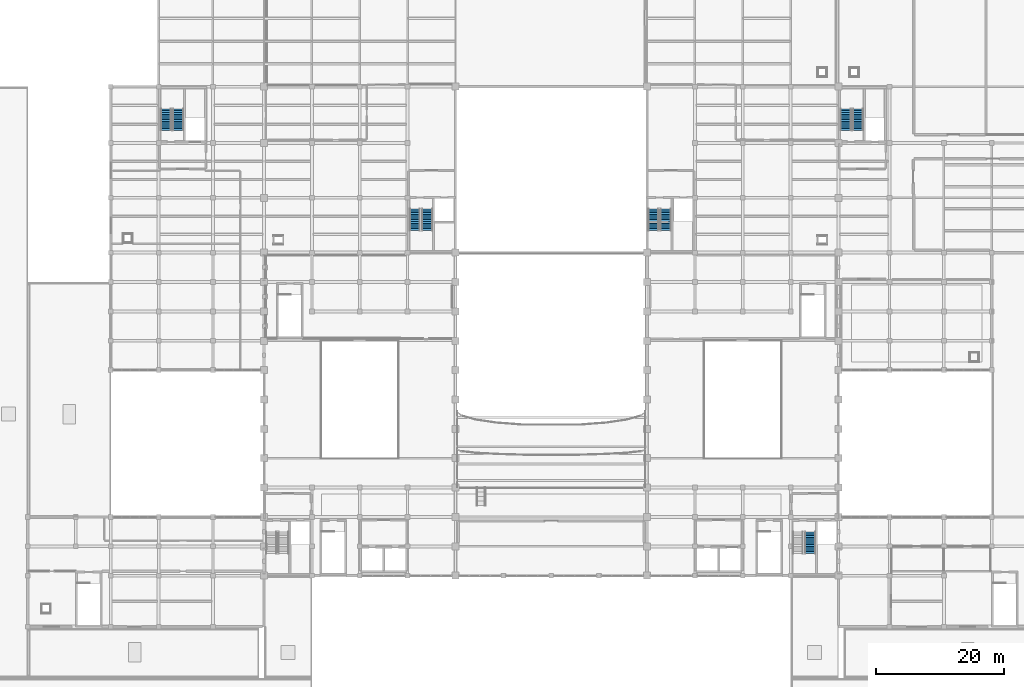
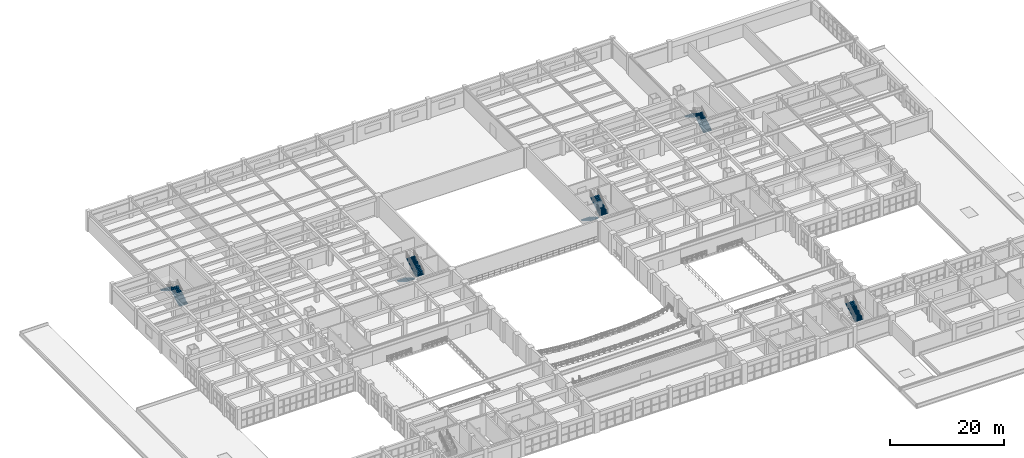
# One storey, part 81 of 90: 9 stair flights, 5 elements without a shape of their own.
"""IFC4 building model written with IfcOpenShell, lengths in metres."""

import ifcopenshell
import ifcopenshell.guid

model = None  # the IFC model being written
_history = None  # IfcOwnerHistory: only IFC2X3 demands one
_inside = {}  # id of a spatial element -> (the spatial element, [elements in it])
_under = {}  # id of a project, library or spatial element -> (it, [spatial elements below it])
_declared = {}  # id of a project -> (the project, [libraries it declares])
_typed = {}  # id of a type object -> (the type object, [elements of that type])
_made_of = {}  # id of a material, layer set ... -> (it, [elements and type objects made of it])


def new_model(schema):
    """Start an empty IFC model of exactly this schema.

    Asked for "IFC4X3", IfcOpenShell would pick the latest addendum, in which some entities
    have other attributes; the version numbers below select the first issue.
    IFC2X3 requires an IfcOwnerHistory on every rooted entity: one is made here for all.
    """
    global model, _history
    if schema == "IFC4X3":
        model = ifcopenshell.file(schema_version=(4, 3, 0, 0))
    else:
        model = ifcopenshell.file(schema=schema)
    _inside.clear()
    _under.clear()
    _declared.clear()
    _typed.clear()
    _made_of.clear()
    _history = None
    if model.schema == "IFC2X3":
        org = make("IfcOrganization", Name="unknown")
        user = make(
            "IfcPersonAndOrganization",
            ThePerson=make("IfcPerson", FamilyName="unknown"),
            TheOrganization=org,
        )
        app = make(
            "IfcApplication",
            ApplicationDeveloper=org,
            Version="unknown",
            ApplicationFullName="unknown",
            ApplicationIdentifier="unknown",
        )
        _history = make(
            "IfcOwnerHistory",
            OwningUser=user,
            OwningApplication=app,
            ChangeAction="ADDED",
            CreationDate=0,
        )
    return model


def make(cls, **values):
    """One entity of the class cls with the attributes given. An attribute that is None is left unset."""
    return model.create_entity(
        cls, **{name: value for name, value in values.items() if value is not None}
    )


def rooted(cls, **values):
    """An entity with a GlobalId (a new one), such as an element, a storey or a relation."""
    return make(cls, GlobalId=ifcopenshell.guid.new(), OwnerHistory=_history, **values)


def si_unit(unit_type, name, prefix=None):
    """IfcSIUnit, for example si_unit("LENGTHUNIT", "METRE", prefix="MILLI")."""
    return make("IfcSIUnit", UnitType=unit_type, Prefix=prefix, Name=name)


def assignment(units):
    """IfcUnitAssignment: the units of a project."""
    return None if units is None else make("IfcUnitAssignment", Units=units)


def point(xyz):
    """IfcCartesianPoint."""
    return None if xyz is None else make("IfcCartesianPoint", Coordinates=xyz)


def direction(xyz):
    """IfcDirection."""
    return None if xyz is None else make("IfcDirection", DirectionRatios=xyz)


def frame(location, z_axis=None, x_axis=None):
    """IfcAxis2Placement3D, a coordinate frame: its origin and axes. An axis left out is left unset."""
    return make(
        "IfcAxis2Placement3D",
        Location=point(location),
        Axis=direction(z_axis),
        RefDirection=direction(x_axis),
    )


def origin():
    """The frame at (0, 0, 0) with its axes left unset."""
    return frame((0.0, 0.0, 0.0))


def place(relative_to, where):
    """IfcLocalPlacement: puts the frame where relative to a parent placement (None: the world)."""
    return make(
        "IfcLocalPlacement", PlacementRelTo=relative_to, RelativePlacement=where
    )


def context(
    kind, dimensions, precision=None, world=None, true_north=None, identifier=None
):
    """IfcGeometricRepresentationContext, for example the 3D "Model" context."""
    return make(
        "IfcGeometricRepresentationContext",
        ContextIdentifier=identifier,
        ContextType=kind,
        CoordinateSpaceDimension=dimensions,
        Precision=precision,
        WorldCoordinateSystem=world,
        TrueNorth=true_north,
    )


def subcontext(parent, identifier, kind, view, scale=None):
    """IfcGeometricRepresentationSubContext, for example "Body" below "Model"."""
    return make(
        "IfcGeometricRepresentationSubContext",
        ContextIdentifier=identifier,
        ContextType=kind,
        ParentContext=parent,
        TargetScale=scale,
        TargetView=view,
    )


def project(units=None, contexts=None):
    """IfcProject with its units and contexts."""
    return rooted(
        "IfcProject",
        Name="project",
        RepresentationContexts=contexts,
        UnitsInContext=assignment(units),
    )


def spatial(cls, under=None, at=None, **own):
    """A site, building, storey or space (cls), placed at a placement, below another one or the project."""
    s = rooted(cls, ObjectPlacement=at, **own)
    if under is not None:
        _under.setdefault(under.id(), (under, []))[1].append(s)
    return s


def polyline(points):
    """IfcPolyline through the points."""
    return make("IfcPolyline", Points=[point(p) for p in points])


def outline(outer, holes=None, kind="AREA"):
    """IfcArbitraryClosedProfileDef: a profile drawn as a closed curve; with holes, ...WithVoids."""
    if holes is None:
        return make("IfcArbitraryClosedProfileDef", ProfileType=kind, OuterCurve=outer)
    return make(
        "IfcArbitraryProfileDefWithVoids",
        ProfileType=kind,
        OuterCurve=outer,
        InnerCurves=holes,
    )


def extrude(swept, where, along, depth):
    """IfcExtrudedAreaSolid: the profile swept, set in the frame where, extruded along a direction by depth."""
    return make(
        "IfcExtrudedAreaSolid",
        SweptArea=swept,
        Position=where,
        ExtrudedDirection=direction(along),
        Depth=depth,
    )


def shape(context_of_items, identifier, shape_type, items):
    """IfcShapeRepresentation: the items that make up one representation, for example the "Body"."""
    return make(
        "IfcShapeRepresentation",
        ContextOfItems=context_of_items,
        RepresentationIdentifier=identifier,
        RepresentationType=shape_type,
        Items=items,
    )


def material(Name=None, Category=None):
    """IfcMaterial."""
    return make("IfcMaterial", Name=Name, Category=Category)


def made_of(thing, what):
    """Note that an element or type object is made of a material, layer set ...; save() writes the relation."""
    if what is not None:
        _made_of.setdefault(what.id(), (what, []))[1].append(thing)
    return thing


def type_object(cls, material=None, **own):
    """A type object (cls), such as IfcWallType, which elements share."""
    return made_of(rooted(cls, **own), material)


def element(
    cls,
    number,
    at=None,
    inside=None,
    cuts=None,
    type_object=None,
    material=None,
    context=None,
    identifier="Body",
    shape_type=None,
    held_by="IfcProductDefinitionShape",
    body=None,
    shapes=None,
    **own,
):
    """One element of the class cls, such as IfcWall. Its Tag is "e" and its number.

    at: its placement. inside: the storey or other place that contains it. cuts: it is an
    opening in that element (IfcRelVoidsElement). A single representation is given by context,
    identifier, shape_type and body (its items); several are given by shapes. held_by: the class
    of the entity that holds the representations. save() writes the other relations.
    """
    e = rooted(cls, Tag="e%d" % number, ObjectPlacement=at, **own)
    if body is not None:
        shapes = [shape(context, identifier, shape_type, body)]
    if shapes is not None:
        e.Representation = make(held_by, Representations=shapes)
    if inside is not None:
        _inside.setdefault(inside.id(), (inside, []))[1].append(e)
    if cuts is not None:
        rooted(
            "IfcRelVoidsElement", RelatingBuildingElement=cuts, RelatedOpeningElement=e
        )
    if type_object is not None:
        _typed.setdefault(type_object.id(), (type_object, []))[1].append(e)
    return made_of(e, material)


def aggregate(whole, parts):
    """IfcRelAggregates: a whole, such as a stair, and the parts it consists of."""
    return rooted("IfcRelAggregates", RelatingObject=whole, RelatedObjects=parts)


def save(model, path):
    """Write the relations noted so far, then the file.

    IfcRelAggregates (storeys below a building ...), IfcRelContainedInSpatialStructure (elements
    in a storey), IfcRelDefinesByType, IfcRelAssociatesMaterial and IfcRelDeclares: one each for
    every whole, place, type object, material and project.
    """
    for whole, parts in _under.values():
        aggregate(whole, parts)
    for where, things in _inside.values():
        rooted(
            "IfcRelContainedInSpatialStructure",
            RelatedElements=things,
            RelatingStructure=where,
        )
    for kind, things in _typed.values():
        rooted("IfcRelDefinesByType", RelatedObjects=things, RelatingType=kind)
    for what, things in _made_of.values():
        rooted("IfcRelAssociatesMaterial", RelatedObjects=things, RelatingMaterial=what)
    for by, libraries in _declared.values():
        rooted("IfcRelDeclares", RelatingContext=by, RelatedDefinitions=libraries)
    model.write(path)


model = new_model("IFC4")

# Units and contexts
model_context = context("Model", 3, precision=1e-05, world=origin(), true_north=direction((0.0, 1.0)))
body_context = subcontext(model_context, "Body", "Model", "MODEL_VIEW")
ifc_project = project(units=[si_unit("LENGTHUNIT", "METRE"), si_unit("AREAUNIT", "SQUARE_METRE"), si_unit("VOLUMEUNIT", "CUBIC_METRE"), si_unit("PLANEANGLEUNIT", "RADIAN"), si_unit("MASSUNIT", "GRAM", prefix="KILO")], contexts=[model_context])

# Site, building, storey
site_placement = place(None, origin())
site = spatial("IfcSite", under=ifc_project, at=site_placement, CompositionType="ELEMENT")
building_placement = place(site_placement, origin())
building = spatial("IfcBuilding", under=site, at=building_placement, Name="Muzn Square Opera House", CompositionType="ELEMENT")
storey_placement = place(building_placement, frame((0.0, 0.0, 9.800048828125)))
storey = spatial("IfcBuildingStorey", under=building, at=storey_placement, Name="L02", CompositionType="ELEMENT", Elevation=9.800048828125)

# Stair, stair flights
ifc_material = material(Name="Concrete C40/50", Category="concrete")
stair_type = type_object("IfcStairType", Name="Core Escape Dogleg Stair", PredefinedType="HALF_TURN_STAIR", material=ifc_material)
stair_1_placement = place(storey_placement, origin())
stair_1 = element("IfcStair", 1, at=stair_1_placement, inside=storey, type_object=stair_type, Name="L02 Escape Stair ST-1", PredefinedType="HALF_TURN_STAIR")
stair_flight_type = type_object("IfcStairFlightType", Name="Core Stair Flight 1660mm", PredefinedType="STRAIGHT", material=ifc_material)
stair_flight_1_placement = place(storey_placement, frame((66.6298828125, 79.43994140625, 0.0), z_axis=(0.0, 0.0, 1.0), x_axis=(0.0, -1.0, 0.0)))
stair_flight_1 = element("IfcStairFlight", 2, at=stair_flight_1_placement, type_object=stair_flight_type, Name="ST-1 flight 1", NumberOfRisers=13, NumberOfTreads=12, PredefinedType="STRAIGHT", RiserHeight=0.169230769, TreadLength=0.28, context=body_context, shape_type="SweptSolid", body=[
    extrude(outline(polyline([(0.0, 0.0), (0.0, 0.169189453125), (0.280029296875, 0.169189453125), (0.280029296875, 0.33837890625), (0.56005859375, 0.33837890625), (0.56005859375, 0.5078125), (0.840087890625, 0.5078125), (0.840087890625, 0.677001953125), (1.1201171875, 0.677001953125), (1.1201171875, 0.84619140625), (1.39990234375, 0.84619140625), (1.39990234375, 1.015380859375), (1.679931640625, 1.015380859375), (1.679931640625, 1.1845703125), (1.9599609375, 1.1845703125), (1.9599609375, 1.353759765625), (2.239990234375, 1.353759765625), (2.239990234375, 1.523193359375), (2.52001953125, 1.523193359375), (2.52001953125, 1.6923828125), (2.800048828125, 1.6923828125), (2.800048828125, 1.861572265625), (3.080078125, 1.861572265625), (3.080078125, 2.03076171875), (3.360107421875, 2.03076171875), (3.360107421875, 2.199951171875), (3.360107421875, 1.820556640625), (0.347900390625, 0.0), (0.0, 0.0)])), frame((0.0, 0.830078125, 0.0), z_axis=(0.0, -1.0, 0.0), x_axis=(1.0, 0.0, 0.0)), (0.0, 0.0, 1.0), 1.659912109375),
])
stair_flight_2_placement = place(storey_placement, frame((68.570068359375, 76.080078125, 2.199951171875), z_axis=(0.0, 0.0, 1.0), x_axis=(0.0, 1.0, 0.0)))
stair_flight_2 = element("IfcStairFlight", 3, at=stair_flight_2_placement, type_object=stair_flight_type, Name="ST-1 flight 2", NumberOfRisers=13, NumberOfTreads=12, PredefinedType="STRAIGHT", RiserHeight=0.169230769, TreadLength=0.28, context=body_context, shape_type="SweptSolid", body=[
    extrude(outline(polyline([(0.0, 0.0), (0.0, 0.169189453125), (0.280029296875, 0.169189453125), (0.280029296875, 0.33837890625), (0.56005859375, 0.33837890625), (0.56005859375, 0.5078125), (0.840087890625, 0.5078125), (0.840087890625, 0.677001953125), (1.1201171875, 0.677001953125), (1.1201171875, 0.84619140625), (1.39990234375, 0.84619140625), (1.39990234375, 1.015380859375), (1.679931640625, 1.015380859375), (1.679931640625, 1.1845703125), (1.9599609375, 1.1845703125), (1.9599609375, 1.353759765625), (2.239990234375, 1.353759765625), (2.239990234375, 1.523193359375), (2.52001953125, 1.523193359375), (2.52001953125, 1.6923828125), (2.800048828125, 1.6923828125), (2.800048828125, 1.861572265625), (3.080078125, 1.861572265625), (3.080078125, 2.03076171875), (3.360107421875, 2.03076171875), (3.360107421875, 2.199951171875), (3.360107421875, 1.820556640625), (0.347900390625, 0.0), (0.0, 0.0)])), frame((0.0, 0.830078125, 0.0), z_axis=(0.0, -1.0, 0.0), x_axis=(1.0, 0.0, 0.0)), (0.0, 0.0, 1.0), 1.659912109375),
])
aggregate(stair_1, [stair_flight_1, stair_flight_2])

stair_2_placement = place(storey_placement, origin())
stair_2 = element("IfcStair", 4, at=stair_2_placement, inside=storey, type_object=stair_type, Name="L02 Escape Stair ST-2", PredefinedType="HALF_TURN_STAIR")
stair_flight_3_placement = place(storey_placement, frame((104.0, 79.43994140625, 0.0), z_axis=(0.0, 0.0, 1.0), x_axis=(0.0, -1.0, 0.0)))
stair_flight_3 = element("IfcStairFlight", 5, at=stair_flight_3_placement, type_object=stair_flight_type, Name="ST-2 flight 1", NumberOfRisers=13, NumberOfTreads=12, PredefinedType="STRAIGHT", RiserHeight=0.169230769, TreadLength=0.28, context=body_context, shape_type="SweptSolid", body=[
    extrude(outline(polyline([(0.0, 0.0), (0.0, 0.169189453125), (0.280029296875, 0.169189453125), (0.280029296875, 0.33837890625), (0.56005859375, 0.33837890625), (0.56005859375, 0.5078125), (0.840087890625, 0.5078125), (0.840087890625, 0.677001953125), (1.1201171875, 0.677001953125), (1.1201171875, 0.84619140625), (1.39990234375, 0.84619140625), (1.39990234375, 1.015380859375), (1.679931640625, 1.015380859375), (1.679931640625, 1.1845703125), (1.9599609375, 1.1845703125), (1.9599609375, 1.353759765625), (2.239990234375, 1.353759765625), (2.239990234375, 1.523193359375), (2.52001953125, 1.523193359375), (2.52001953125, 1.6923828125), (2.800048828125, 1.6923828125), (2.800048828125, 1.861572265625), (3.080078125, 1.861572265625), (3.080078125, 2.03076171875), (3.360107421875, 2.03076171875), (3.360107421875, 2.199951171875), (3.360107421875, 1.820556640625), (0.347900390625, 0.0), (0.0, 0.0)])), frame((0.0, 0.830078125, 0.0), z_axis=(0.0, -1.0, 0.0), x_axis=(1.0, 0.0, 0.0)), (0.0, 0.0, 1.0), 1.659912109375),
])
stair_flight_4_placement = place(storey_placement, frame((105.93994140625, 76.080078125, 2.199951171875), z_axis=(0.0, 0.0, 1.0), x_axis=(0.0, 1.0, 0.0)))
stair_flight_4 = element("IfcStairFlight", 6, at=stair_flight_4_placement, type_object=stair_flight_type, Name="ST-2 flight 2", NumberOfRisers=13, NumberOfTreads=12, PredefinedType="STRAIGHT", RiserHeight=0.169230769, TreadLength=0.28, context=body_context, shape_type="SweptSolid", body=[
    extrude(outline(polyline([(0.0, 0.0), (0.0, 0.169189453125), (0.280029296875, 0.169189453125), (0.280029296875, 0.33837890625), (0.56005859375, 0.33837890625), (0.56005859375, 0.5078125), (0.840087890625, 0.5078125), (0.840087890625, 0.677001953125), (1.1201171875, 0.677001953125), (1.1201171875, 0.84619140625), (1.39990234375, 0.84619140625), (1.39990234375, 1.015380859375), (1.679931640625, 1.015380859375), (1.679931640625, 1.1845703125), (1.9599609375, 1.1845703125), (1.9599609375, 1.353759765625), (2.239990234375, 1.353759765625), (2.239990234375, 1.523193359375), (2.52001953125, 1.523193359375), (2.52001953125, 1.6923828125), (2.800048828125, 1.6923828125), (2.800048828125, 1.861572265625), (3.080078125, 1.861572265625), (3.080078125, 2.03076171875), (3.360107421875, 2.03076171875), (3.360107421875, 2.199951171875), (3.360107421875, 1.820556640625), (0.347900390625, 0.0), (0.0, 0.0)])), frame((0.0, 0.830078125, 0.0), z_axis=(0.0, -1.0, 0.0), x_axis=(1.0, 0.0, 0.0)), (0.0, 0.0, 1.0), 1.659912109375),
])
aggregate(stair_2, [stair_flight_3, stair_flight_4])

# Stair, stair flight
stair_3_placement = place(storey_placement, origin())
stair_3 = element("IfcStair", 7, at=stair_3_placement, inside=storey, type_object=stair_type, Name="L02 Escape Stair ST-4", PredefinedType="HALF_TURN_STAIR")
stair_flight_5_placement = place(storey_placement, frame((128.570068359375, 25.47998046875, 2.199951171875), z_axis=(0.0, 0.0, 1.0), x_axis=(0.0, 1.0, 0.0)))
stair_flight_5 = element("IfcStairFlight", 8, at=stair_flight_5_placement, type_object=stair_flight_type, Name="ST-4 flight 2", NumberOfRisers=13, NumberOfTreads=12, PredefinedType="STRAIGHT", RiserHeight=0.169230769, TreadLength=0.28, context=body_context, shape_type="SweptSolid", body=[
    extrude(outline(polyline([(0.0, 0.0), (0.0, 0.169189453125), (0.280029296875, 0.169189453125), (0.280029296875, 0.33837890625), (0.56005859375, 0.33837890625), (0.56005859375, 0.5078125), (0.840087890625, 0.5078125), (0.840087890625, 0.677001953125), (1.1201171875, 0.677001953125), (1.1201171875, 0.84619140625), (1.39990234375, 0.84619140625), (1.39990234375, 1.015380859375), (1.679931640625, 1.015380859375), (1.679931640625, 1.1845703125), (1.9599609375, 1.1845703125), (1.9599609375, 1.353759765625), (2.239990234375, 1.353759765625), (2.239990234375, 1.523193359375), (2.52001953125, 1.523193359375), (2.52001953125, 1.6923828125), (2.800048828125, 1.6923828125), (2.800048828125, 1.861572265625), (3.080078125, 1.861572265625), (3.080078125, 2.03076171875), (3.360107421875, 2.03076171875), (3.360107421875, 2.199951171875), (3.360107421875, 1.820556640625), (0.347900390625, 0.0), (0.0, 0.0)])), frame((0.0, 0.830078125, 0.0), z_axis=(0.0, -1.0, 0.0), x_axis=(1.0, 0.0, 0.0)), (0.0, 0.0, 1.0), 1.659912109375),
])
aggregate(stair_3, [stair_flight_5])

# Stair, stair flights
stair_4_placement = place(storey_placement, origin())
stair_4 = element("IfcStair", 9, at=stair_4_placement, inside=storey, type_object=stair_type, Name="L02 Escape Stair ST-5", PredefinedType="HALF_TURN_STAIR")
stair_flight_6_placement = place(storey_placement, frame((136.070068359375, 91.760009765625, 0.0), z_axis=(0.0, 0.0, 1.0), x_axis=(0.0, 1.0, 0.0)))
stair_flight_6 = element("IfcStairFlight", 10, at=stair_flight_6_placement, type_object=stair_flight_type, Name="ST-5 flight 1", NumberOfRisers=13, NumberOfTreads=12, PredefinedType="STRAIGHT", RiserHeight=0.169230769, TreadLength=0.28, context=body_context, shape_type="SweptSolid", body=[
    extrude(outline(polyline([(0.0, 0.0), (0.0, 0.169189453125), (0.280029296875, 0.169189453125), (0.280029296875, 0.33837890625), (0.56005859375, 0.33837890625), (0.56005859375, 0.5078125), (0.840087890625, 0.5078125), (0.840087890625, 0.677001953125), (1.1201171875, 0.677001953125), (1.1201171875, 0.84619140625), (1.39990234375, 0.84619140625), (1.39990234375, 1.015380859375), (1.679931640625, 1.015380859375), (1.679931640625, 1.1845703125), (1.9599609375, 1.1845703125), (1.9599609375, 1.353759765625), (2.239990234375, 1.353759765625), (2.239990234375, 1.523193359375), (2.52001953125, 1.523193359375), (2.52001953125, 1.6923828125), (2.800048828125, 1.6923828125), (2.800048828125, 1.861572265625), (3.080078125, 1.861572265625), (3.080078125, 2.03076171875), (3.360107421875, 2.03076171875), (3.360107421875, 2.199951171875), (3.360107421875, 1.820556640625), (0.347900390625, 0.0), (0.0, 0.0)])), frame((0.0, 0.830078125, 0.0), z_axis=(0.0, -1.0, 0.0), x_axis=(1.0, 0.0, 0.0)), (0.0, 0.0, 1.0), 1.659912109375),
])
stair_flight_7_placement = place(storey_placement, frame((134.1298828125, 95.1201171875, 2.199951171875), z_axis=(0.0, 0.0, 1.0), x_axis=(0.0, -1.0, 0.0)))
stair_flight_7 = element("IfcStairFlight", 11, at=stair_flight_7_placement, type_object=stair_flight_type, Name="ST-5 flight 2", NumberOfRisers=13, NumberOfTreads=12, PredefinedType="STRAIGHT", RiserHeight=0.169230769, TreadLength=0.28, context=body_context, shape_type="SweptSolid", body=[
    extrude(outline(polyline([(0.0, 0.0), (0.0, 0.169189453125), (0.280029296875, 0.169189453125), (0.280029296875, 0.33837890625), (0.56005859375, 0.33837890625), (0.56005859375, 0.5078125), (0.840087890625, 0.5078125), (0.840087890625, 0.677001953125), (1.1201171875, 0.677001953125), (1.1201171875, 0.84619140625), (1.39990234375, 0.84619140625), (1.39990234375, 1.015380859375), (1.679931640625, 1.015380859375), (1.679931640625, 1.1845703125), (1.9599609375, 1.1845703125), (1.9599609375, 1.353759765625), (2.239990234375, 1.353759765625), (2.239990234375, 1.523193359375), (2.52001953125, 1.523193359375), (2.52001953125, 1.6923828125), (2.800048828125, 1.6923828125), (2.800048828125, 1.861572265625), (3.080078125, 1.861572265625), (3.080078125, 2.03076171875), (3.360107421875, 2.03076171875), (3.360107421875, 2.199951171875), (3.360107421875, 1.820556640625), (0.347900390625, 0.0), (0.0, 0.0)])), frame((0.0, 0.830078125, 0.0), z_axis=(0.0, -1.0, 0.0), x_axis=(1.0, 0.0, 0.0)), (0.0, 0.0, 1.0), 1.659912109375),
])
aggregate(stair_4, [stair_flight_6, stair_flight_7])

stair_5_placement = place(storey_placement, origin())
stair_5 = element("IfcStair", 12, at=stair_5_placement, inside=storey, type_object=stair_type, Name="L02 Escape Stair ST-6", PredefinedType="HALF_TURN_STAIR")
stair_flight_8_placement = place(storey_placement, frame((29.570068359375, 91.760009765625, 0.0), z_axis=(0.0, 0.0, 1.0), x_axis=(0.0, 1.0, 0.0)))
stair_flight_8 = element("IfcStairFlight", 13, at=stair_flight_8_placement, type_object=stair_flight_type, Name="ST-6 flight 1", NumberOfRisers=13, NumberOfTreads=12, PredefinedType="STRAIGHT", RiserHeight=0.169230769, TreadLength=0.28, context=body_context, shape_type="SweptSolid", body=[
    extrude(outline(polyline([(0.0, 0.0), (0.0, 0.169189453125), (0.280029296875, 0.169189453125), (0.280029296875, 0.33837890625), (0.56005859375, 0.33837890625), (0.56005859375, 0.5078125), (0.840087890625, 0.5078125), (0.840087890625, 0.677001953125), (1.1201171875, 0.677001953125), (1.1201171875, 0.84619140625), (1.39990234375, 0.84619140625), (1.39990234375, 1.015380859375), (1.679931640625, 1.015380859375), (1.679931640625, 1.1845703125), (1.9599609375, 1.1845703125), (1.9599609375, 1.353759765625), (2.239990234375, 1.353759765625), (2.239990234375, 1.523193359375), (2.52001953125, 1.523193359375), (2.52001953125, 1.6923828125), (2.800048828125, 1.6923828125), (2.800048828125, 1.861572265625), (3.080078125, 1.861572265625), (3.080078125, 2.03076171875), (3.360107421875, 2.03076171875), (3.360107421875, 2.199951171875), (3.360107421875, 1.820556640625), (0.347900390625, 0.0), (0.0, 0.0)])), frame((0.0, 0.830078125, 0.0), z_axis=(0.0, -1.0, 0.0), x_axis=(1.0, 0.0, 0.0)), (0.0, 0.0, 1.0), 1.659912109375),
])
stair_flight_9_placement = place(storey_placement, frame((27.6298828125, 95.1201171875, 2.199951171875), z_axis=(0.0, 0.0, 1.0), x_axis=(0.0, -1.0, 0.0)))
stair_flight_9 = element("IfcStairFlight", 14, at=stair_flight_9_placement, type_object=stair_flight_type, Name="ST-6 flight 2", NumberOfRisers=13, NumberOfTreads=12, PredefinedType="STRAIGHT", RiserHeight=0.169230769, TreadLength=0.28, context=body_context, shape_type="SweptSolid", body=[
    extrude(outline(polyline([(0.0, 0.0), (0.0, 0.169189453125), (0.280029296875, 0.169189453125), (0.280029296875, 0.33837890625), (0.56005859375, 0.33837890625), (0.56005859375, 0.5078125), (0.840087890625, 0.5078125), (0.840087890625, 0.677001953125), (1.1201171875, 0.677001953125), (1.1201171875, 0.84619140625), (1.39990234375, 0.84619140625), (1.39990234375, 1.015380859375), (1.679931640625, 1.015380859375), (1.679931640625, 1.1845703125), (1.9599609375, 1.1845703125), (1.9599609375, 1.353759765625), (2.239990234375, 1.353759765625), (2.239990234375, 1.523193359375), (2.52001953125, 1.523193359375), (2.52001953125, 1.6923828125), (2.800048828125, 1.6923828125), (2.800048828125, 1.861572265625), (3.080078125, 1.861572265625), (3.080078125, 2.03076171875), (3.360107421875, 2.03076171875), (3.360107421875, 2.199951171875), (3.360107421875, 1.820556640625), (0.347900390625, 0.0), (0.0, 0.0)])), frame((0.0, 0.830078125, 0.0), z_axis=(0.0, -1.0, 0.0), x_axis=(1.0, 0.0, 0.0)), (0.0, 0.0, 1.0), 1.659912109375),
])
aggregate(stair_5, [stair_flight_8, stair_flight_9])

save(model, "model.ifc")
